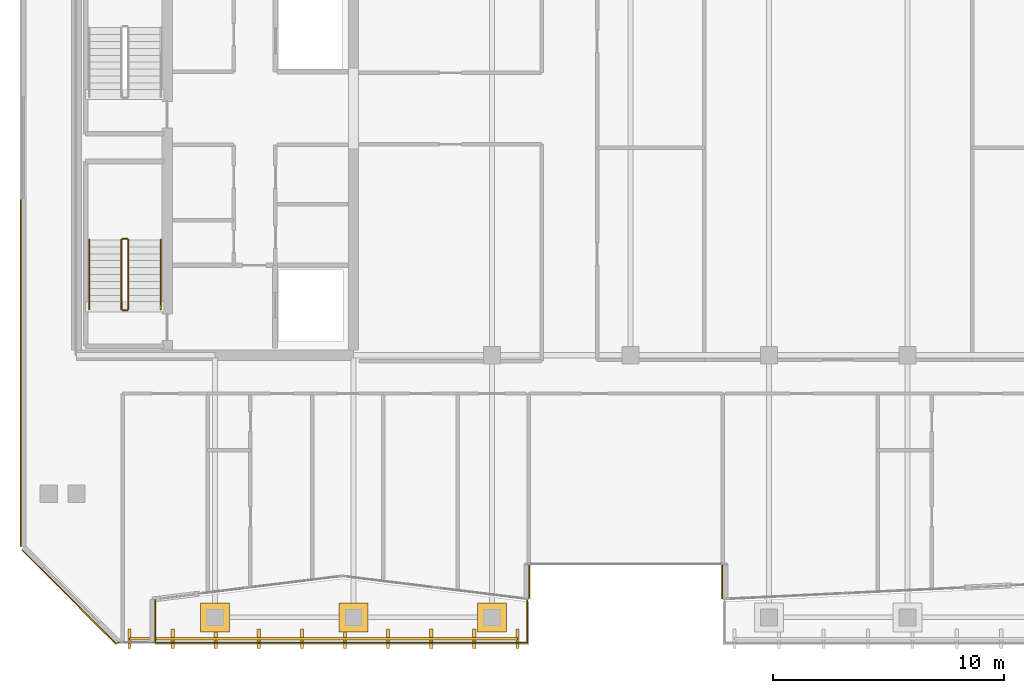
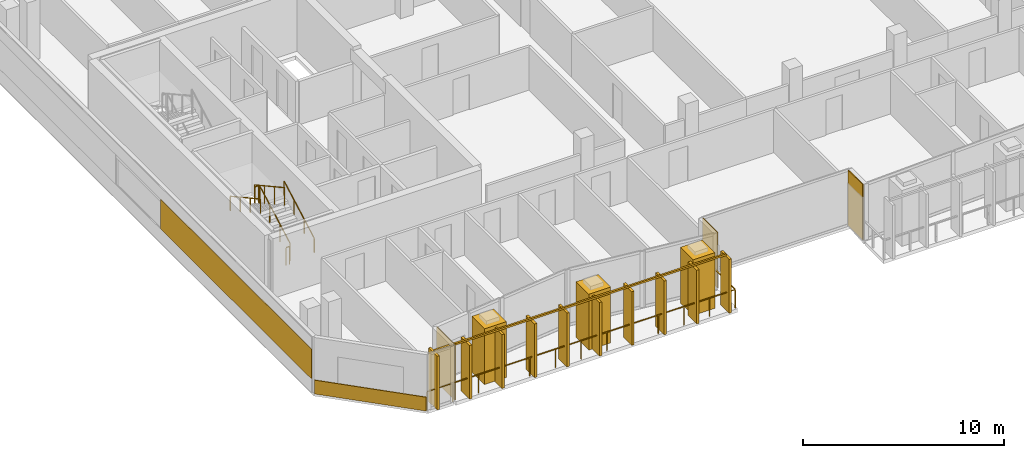
# One storey, part 27 of 31: 8 coverings, 8 railings.
"""IFC4 building model written with IfcOpenShell, lengths in metres."""

import ifcopenshell
import ifcopenshell.guid

model = None  # the IFC model being written
_history = None  # IfcOwnerHistory: only IFC2X3 demands one
_inside = {}  # id of a spatial element -> (the spatial element, [elements in it])
_under = {}  # id of a project, library or spatial element -> (it, [spatial elements below it])
_declared = {}  # id of a project -> (the project, [libraries it declares])
_typed = {}  # id of a type object -> (the type object, [elements of that type])
_made_of = {}  # id of a material, layer set ... -> (it, [elements and type objects made of it])


def new_model(schema):
    """Start an empty IFC model of exactly this schema.

    Asked for "IFC4X3", IfcOpenShell would pick the latest addendum, in which some entities
    have other attributes; the version numbers below select the first issue.
    IFC2X3 requires an IfcOwnerHistory on every rooted entity: one is made here for all.
    """
    global model, _history
    if schema == "IFC4X3":
        model = ifcopenshell.file(schema_version=(4, 3, 0, 0))
    else:
        model = ifcopenshell.file(schema=schema)
    _inside.clear()
    _under.clear()
    _declared.clear()
    _typed.clear()
    _made_of.clear()
    _history = None
    if model.schema == "IFC2X3":
        org = make("IfcOrganization", Name="unknown")
        user = make(
            "IfcPersonAndOrganization",
            ThePerson=make("IfcPerson", FamilyName="unknown"),
            TheOrganization=org,
        )
        app = make(
            "IfcApplication",
            ApplicationDeveloper=org,
            Version="unknown",
            ApplicationFullName="unknown",
            ApplicationIdentifier="unknown",
        )
        _history = make(
            "IfcOwnerHistory",
            OwningUser=user,
            OwningApplication=app,
            ChangeAction="ADDED",
            CreationDate=0,
        )
    return model


def make(cls, **values):
    """One entity of the class cls with the attributes given. An attribute that is None is left unset."""
    return model.create_entity(
        cls, **{name: value for name, value in values.items() if value is not None}
    )


def rooted(cls, **values):
    """An entity with a GlobalId (a new one), such as an element, a storey or a relation."""
    return make(cls, GlobalId=ifcopenshell.guid.new(), OwnerHistory=_history, **values)


def si_unit(unit_type, name, prefix=None):
    """IfcSIUnit, for example si_unit("LENGTHUNIT", "METRE", prefix="MILLI")."""
    return make("IfcSIUnit", UnitType=unit_type, Prefix=prefix, Name=name)


def assignment(units):
    """IfcUnitAssignment: the units of a project."""
    return None if units is None else make("IfcUnitAssignment", Units=units)


def point(xyz):
    """IfcCartesianPoint."""
    return None if xyz is None else make("IfcCartesianPoint", Coordinates=xyz)


def direction(xyz):
    """IfcDirection."""
    return None if xyz is None else make("IfcDirection", DirectionRatios=xyz)


def frame(location, z_axis=None, x_axis=None):
    """IfcAxis2Placement3D, a coordinate frame: its origin and axes. An axis left out is left unset."""
    return make(
        "IfcAxis2Placement3D",
        Location=point(location),
        Axis=direction(z_axis),
        RefDirection=direction(x_axis),
    )


def frame_2d(location, x_axis=None):
    """IfcAxis2Placement2D, a coordinate frame in the plane: its origin and x axis."""
    return make(
        "IfcAxis2Placement2D", Location=point(location), RefDirection=direction(x_axis)
    )


def origin():
    """The frame at (0, 0, 0) with its axes left unset."""
    return frame((0.0, 0.0, 0.0))


def origin_2d():
    """The frame at (0, 0) in the plane with its x axis left unset."""
    return frame_2d((0.0, 0.0))


def place(relative_to, where):
    """IfcLocalPlacement: puts the frame where relative to a parent placement (None: the world)."""
    return make(
        "IfcLocalPlacement", PlacementRelTo=relative_to, RelativePlacement=where
    )


def context(
    kind, dimensions, precision=None, world=None, true_north=None, identifier=None
):
    """IfcGeometricRepresentationContext, for example the 3D "Model" context."""
    return make(
        "IfcGeometricRepresentationContext",
        ContextIdentifier=identifier,
        ContextType=kind,
        CoordinateSpaceDimension=dimensions,
        Precision=precision,
        WorldCoordinateSystem=world,
        TrueNorth=true_north,
    )


def subcontext(parent, identifier, kind, view, scale=None):
    """IfcGeometricRepresentationSubContext, for example "Body" below "Model"."""
    return make(
        "IfcGeometricRepresentationSubContext",
        ContextIdentifier=identifier,
        ContextType=kind,
        ParentContext=parent,
        TargetScale=scale,
        TargetView=view,
    )


def project(units=None, contexts=None):
    """IfcProject with its units and contexts."""
    return rooted(
        "IfcProject",
        Name="project",
        RepresentationContexts=contexts,
        UnitsInContext=assignment(units),
    )


def spatial(cls, under=None, at=None, **own):
    """A site, building, storey or space (cls), placed at a placement, below another one or the project."""
    s = rooted(cls, ObjectPlacement=at, **own)
    if under is not None:
        _under.setdefault(under.id(), (under, []))[1].append(s)
    return s


def profile(cls, at=None, kind="AREA", **sizes):
    """A parametric profile (cls). Its sizes go by their IFC names, for example OverallWidth=200.0."""
    return make(cls, ProfileType=kind, Position=at, **sizes)


def rectangle(**sizes):
    """IfcRectangleProfileDef."""
    return profile("IfcRectangleProfileDef", **sizes)


def extrude(swept, where, along, depth):
    """IfcExtrudedAreaSolid: the profile swept, set in the frame where, extruded along a direction by depth."""
    return make(
        "IfcExtrudedAreaSolid",
        SweptArea=swept,
        Position=where,
        ExtrudedDirection=direction(along),
        Depth=depth,
    )


def shape(context_of_items, identifier, shape_type, items):
    """IfcShapeRepresentation: the items that make up one representation, for example the "Body"."""
    return make(
        "IfcShapeRepresentation",
        ContextOfItems=context_of_items,
        RepresentationIdentifier=identifier,
        RepresentationType=shape_type,
        Items=items,
    )


def material(Name=None, Category=None):
    """IfcMaterial."""
    return make("IfcMaterial", Name=Name, Category=Category)


def layer(
    of_material, thickness, ventilated=None, Name=None, Category=None, Priority=None
):
    """IfcMaterialLayer: one layer of a wall or slab, of a material (None: an air gap)."""
    return make(
        "IfcMaterialLayer",
        Material=of_material,
        LayerThickness=thickness,
        IsVentilated=ventilated,
        Name=Name,
        Category=Category,
        Priority=Priority,
    )


def layer_set(layers, Name=None):
    """IfcMaterialLayerSet."""
    return make("IfcMaterialLayerSet", MaterialLayers=layers, LayerSetName=Name)


def made_of(thing, what):
    """Note that an element or type object is made of a material, layer set ...; save() writes the relation."""
    if what is not None:
        _made_of.setdefault(what.id(), (what, []))[1].append(thing)
    return thing


def type_object(cls, material=None, **own):
    """A type object (cls), such as IfcWallType, which elements share."""
    return made_of(rooted(cls, **own), material)


def element(
    cls,
    number,
    at=None,
    inside=None,
    cuts=None,
    type_object=None,
    material=None,
    context=None,
    identifier="Body",
    shape_type=None,
    held_by="IfcProductDefinitionShape",
    body=None,
    shapes=None,
    **own,
):
    """One element of the class cls, such as IfcWall. Its Tag is "e" and its number.

    at: its placement. inside: the storey or other place that contains it. cuts: it is an
    opening in that element (IfcRelVoidsElement). A single representation is given by context,
    identifier, shape_type and body (its items); several are given by shapes. held_by: the class
    of the entity that holds the representations. save() writes the other relations.
    """
    e = rooted(cls, Tag="e%d" % number, ObjectPlacement=at, **own)
    if body is not None:
        shapes = [shape(context, identifier, shape_type, body)]
    if shapes is not None:
        e.Representation = make(held_by, Representations=shapes)
    if inside is not None:
        _inside.setdefault(inside.id(), (inside, []))[1].append(e)
    if cuts is not None:
        rooted(
            "IfcRelVoidsElement", RelatingBuildingElement=cuts, RelatedOpeningElement=e
        )
    if type_object is not None:
        _typed.setdefault(type_object.id(), (type_object, []))[1].append(e)
    return made_of(e, material)


def aggregate(whole, parts):
    """IfcRelAggregates: a whole, such as a stair, and the parts it consists of."""
    return rooted("IfcRelAggregates", RelatingObject=whole, RelatedObjects=parts)


def save(model, path):
    """Write the relations noted so far, then the file.

    IfcRelAggregates (storeys below a building ...), IfcRelContainedInSpatialStructure (elements
    in a storey), IfcRelDefinesByType, IfcRelAssociatesMaterial and IfcRelDeclares: one each for
    every whole, place, type object, material and project.
    """
    for whole, parts in _under.values():
        aggregate(whole, parts)
    for where, things in _inside.values():
        rooted(
            "IfcRelContainedInSpatialStructure",
            RelatedElements=things,
            RelatingStructure=where,
        )
    for kind, things in _typed.values():
        rooted("IfcRelDefinesByType", RelatedObjects=things, RelatingType=kind)
    for what, things in _made_of.values():
        rooted("IfcRelAssociatesMaterial", RelatedObjects=things, RelatingMaterial=what)
    for by, libraries in _declared.values():
        rooted("IfcRelDeclares", RelatingContext=by, RelatedDefinitions=libraries)
    model.write(path)


model = new_model("IFC4")

# Units and contexts
model_context = context("Model", 3, precision=1e-05, world=origin(), true_north=direction((0.0, 1.0)))
body_context = subcontext(model_context, "Body", "Model", "MODEL_VIEW")
ifc_project = project(units=[si_unit("LENGTHUNIT", "METRE"), si_unit("AREAUNIT", "SQUARE_METRE"), si_unit("VOLUMEUNIT", "CUBIC_METRE"), si_unit("PLANEANGLEUNIT", "RADIAN"), si_unit("MASSUNIT", "GRAM", prefix="KILO")], contexts=[model_context])

# Site, building, storey
site_placement = place(None, origin())
site = spatial("IfcSite", under=ifc_project, at=site_placement, CompositionType="ELEMENT")
building_placement = place(site_placement, origin())
building = spatial("IfcBuilding", under=site, at=building_placement, Name="Tanjung Sevakor Pilgrim Tower", CompositionType="ELEMENT")
storey_placement = place(building_placement, frame((0.0, 0.0, 208.22998046875)))
storey = spatial("IfcBuildingStorey", under=building, at=storey_placement, Name="L58", CompositionType="ELEMENT", Elevation=208.22998046875)

# Coverings
ifc_material_1 = material(Name="Reconstructed Limestone Cladding", Category="masonry")
ifc_layer = layer(ifc_material_1, 0.044921875)
ifc_layer_set = layer_set([ifc_layer], Name="COV-CLAD-LIMESTONE")
covering_type = type_object("IfcCoveringType", Name="COV-CLAD-LIMESTONE", PredefinedType="CLADDING", material=ifc_layer_set)
covering_1_placement = place(storey_placement, frame((27.422607421875, 13.09375, 0.02001953125), z_axis=(0.0, 0.0, 1.0), x_axis=(0.0, 1.0, 0.0)))
element("IfcCovering", 1, at=covering_1_placement, inside=storey, type_object=covering_type, Name="L58 Warm Limestone Wall Cladding EW-L58-MAIN-2", PredefinedType="CLADDING", context=body_context, shape_type="SweptSolid", body=[
    extrude(rectangle(XDim=1.827392578125, YDim=0.044921875, at=origin_2d()), origin(), (0.0, 0.0, 1.0), 3.3701171875),
])
covering_2_placement = place(storey_placement, frame((43.62255859375, 14.80712890625, 0.02001953125), z_axis=(0.0, 0.0, 1.0), x_axis=(0.0, 1.0, 0.0)))
element("IfcCovering", 2, at=covering_2_placement, inside=storey, type_object=covering_type, Name="L58 Warm Limestone Wall Cladding EW-L58-MAIN-7", PredefinedType="CLADDING", context=body_context, shape_type="SweptSolid", body=[
    extrude(rectangle(XDim=1.465576171875, YDim=0.044921875, at=origin_2d()), origin(), (0.0, 0.0, 1.0), 3.3701171875),
])
covering_3_placement = place(storey_placement, frame((51.9775390625, 14.802734375, 0.02001953125), z_axis=(0.0, 0.0, 1.0), x_axis=(0.0, -1.0, 0.0)))
element("IfcCovering", 3, at=covering_3_placement, inside=storey, type_object=covering_type, Name="L58 Warm Limestone Wall Cladding EW-L58-MAIN-9", PredefinedType="CLADDING", context=body_context, shape_type="SweptSolid", body=[
    extrude(rectangle(XDim=1.474609375, YDim=0.044921875, at=origin_2d()), origin(), (0.0, 0.0, 1.0), 3.3701171875),
])
covering_4_placement = place(storey_placement, frame((21.577392578125, 23.8427734375, 0.85009765625), z_axis=(0.0, 0.0, 1.0), x_axis=(0.0, -1.0, 0.0)))
element("IfcCovering", 4, at=covering_4_placement, inside=storey, type_object=covering_type, Name="L58 Warm Limestone Pier Panel EW-L58-MAIN-35-2", PredefinedType="CLADDING", context=body_context, shape_type="SweptSolid", body=[
    extrude(rectangle(XDim=15.014404296875, YDim=0.044921875, at=origin_2d()), origin(), (0.0, 0.0, 1.0), 1.81005859375),
])
covering_5_placement = place(storey_placement, frame((23.68408203125, 14.134033203125, 0.009765625), z_axis=(0.0, 0.0, 1.0), x_axis=(0.707106781187, -0.707106781187, 0.0)))
element("IfcCovering", 5, at=covering_5_placement, inside=storey, type_object=covering_type, Name="L58 Warm Limestone Sill Spandrel EW-CHM-L58-MAIN-35-1", PredefinedType="CLADDING", context=body_context, shape_type="SweptSolid", body=[
    extrude(rectangle(XDim=5.7685546875, YDim=0.044921875, at=origin_2d()), origin(), (0.0, 0.0, 1.0), 0.840087890625),
])
for number, where, z_axis, x_axis, name in (
    (6, (30.0, 13.25, 0.01025390625), (0.0, 0.0, 1.0), (1.0, 0.0, 0.0), "L58 Colonnade Pier Limestone Casing 21"),
    (7, (36.0, 13.25, 0.01025390625), (0.0, 0.0, 1.0), (1.0, 0.0, 0.0), "L58 Colonnade Pier Limestone Casing 23"),
    (8, (42.0, 13.25, 0.01025390625), (0.0, 0.0, 1.0), (1.0, 0.0, 0.0), "L58 Colonnade Pier Limestone Casing 25"),
):
    element("IfcCovering", number, at=place(storey_placement, frame(where, z_axis=z_axis, x_axis=x_axis)), inside=storey, type_object=covering_type, Name=name, PredefinedType="CLADDING", context=body_context, shape_type="SweptSolid", body=[
        extrude(rectangle(XDim=1.260009765625, YDim=1.260009765625, at=origin_2d()), origin(), (0.0, 0.0, 1.0), 3.389892578125),
    ])

# Railings
ifc_material_2 = material(Name="Steel S355J2", Category="steel")
railing_type_1 = type_object("IfcRailingType", Name="RL-EXT-GUARD", PredefinedType="GUARDRAIL", material=ifc_material_2)
railing_1_placement = place(storey_placement, frame((25.800048828125, 12.14990234375, 0.0)))
element("IfcRailing", 9, at=railing_1_placement, inside=storey, type_object=railing_type_1, Name="L58 S-Curve Gap Guardrail SW", PredefinedType="GUARDRAIL", context=body_context, shape_type="SweptSolid", body=[
    extrude(rectangle(XDim=0.0479, YDim=0.0479), frame((0.0, 0.0, 1.1259765625), z_axis=(1.0, 0.0, 0.0), x_axis=(0.0, 1.0, 0.0)), (0.0, 0.0, 1.0), 17.719970703125),
    extrude(rectangle(XDim=0.0479, YDim=0.0479), frame((17.719970703125, 0.0, 1.1259765625), z_axis=(0.0, 1.0, 0.0), x_axis=(-1.0, 0.0, 0.0)), (0.0, 0.0, 1.0), 3.300048828125),
    extrude(rectangle(XDim=0.042, YDim=0.042), origin(), (0.0, 0.0, 1.0), 1.101806640625),
    extrude(rectangle(XDim=0.042, YDim=0.042), frame((1.4765625, 0.0, 0.0)), (0.0, 0.0, 1.0), 1.101806640625),
    extrude(rectangle(XDim=0.042, YDim=0.042), frame((2.953369140625, 0.0, 0.0)), (0.0, 0.0, 1.0), 1.101806640625),
    extrude(rectangle(XDim=0.042, YDim=0.042), frame((4.429931640625, 0.0, 0.0)), (0.0, 0.0, 1.0), 1.101806640625),
    extrude(rectangle(XDim=0.042, YDim=0.042), frame((5.90673828125, 0.0, 0.0)), (0.0, 0.0, 1.0), 1.101806640625),
    extrude(rectangle(XDim=0.042, YDim=0.042), frame((7.38330078125, 0.0, 0.0)), (0.0, 0.0, 1.0), 1.101806640625),
    extrude(rectangle(XDim=0.042, YDim=0.042), frame((8.85986328125, 0.0, 0.0)), (0.0, 0.0, 1.0), 1.101806640625),
    extrude(rectangle(XDim=0.042, YDim=0.042), frame((10.336669921875, 0.0, 0.0)), (0.0, 0.0, 1.0), 1.101806640625),
    extrude(rectangle(XDim=0.042, YDim=0.042), frame((11.813232421875, 0.0, 0.0)), (0.0, 0.0, 1.0), 1.101806640625),
    extrude(rectangle(XDim=0.042, YDim=0.042), frame((13.2900390625, 0.0, 0.0)), (0.0, 0.0, 1.0), 1.101806640625),
    extrude(rectangle(XDim=0.042, YDim=0.042), frame((14.7666015625, 0.0, 0.0)), (0.0, 0.0, 1.0), 1.101806640625),
    extrude(rectangle(XDim=0.042, YDim=0.042), frame((16.243408203125, 0.0, 0.0)), (0.0, 0.0, 1.0), 1.101806640625),
    extrude(rectangle(XDim=0.042, YDim=0.042), frame((17.719970703125, 0.0, 0.0)), (0.0, 0.0, 1.0), 1.101806640625),
    extrude(rectangle(XDim=0.042, YDim=0.042), frame((17.719970703125, 1.10009765625, 0.0)), (0.0, 0.0, 1.0), 1.101806640625),
    extrude(rectangle(XDim=0.042, YDim=0.042), frame((17.719970703125, 2.199951171875, 0.0)), (0.0, 0.0, 1.0), 1.101806640625),
    extrude(rectangle(XDim=0.042, YDim=0.042), frame((17.719970703125, 3.300048828125, 0.0)), (0.0, 0.0, 1.0), 1.101806640625),
])
ifc_material_3 = material(Name="Anodised Bronze Aluminium 6063-T6", Category="aluminium")
railing_type_2 = type_object("IfcRailingType", Name="RL-FIN-SCREEN", PredefinedType="BALUSTRADE", material=ifc_material_3)
railing_2_placement = place(storey_placement, frame((26.300048828125, 12.330078125, 0.0)))
element("IfcRailing", 10, at=railing_2_placement, inside=storey, type_object=railing_type_2, Name="L58 Vertical Bronze-Gold Solar Fin Screen FN-SCGAP-L58-SW-1", PredefinedType="BALUSTRADE", context=body_context, shape_type="SweptSolid", body=[
    extrude(rectangle(XDim=0.105, YDim=0.105), frame((0.0, 0.0, 3.317626953125), z_axis=(1.0, 0.0, 0.0), x_axis=(0.0, 1.0, 0.0)), (0.0, 0.0, 1.0), 16.800048828125),
    extrude(rectangle(XDim=0.14, YDim=0.85), origin(), (0.0, 0.0, 1.0), 3.26513671875),
    extrude(rectangle(XDim=0.14, YDim=0.85), frame((1.86669921875, 0.0, 0.0)), (0.0, 0.0, 1.0), 3.26513671875),
    extrude(rectangle(XDim=0.14, YDim=0.85), frame((3.7333984375, 0.0, 0.0)), (0.0, 0.0, 1.0), 3.26513671875),
    extrude(rectangle(XDim=0.14, YDim=0.85), frame((5.60009765625, 0.0, 0.0)), (0.0, 0.0, 1.0), 3.26513671875),
    extrude(rectangle(XDim=0.14, YDim=0.85), frame((7.466796875, 0.0, 0.0)), (0.0, 0.0, 1.0), 3.26513671875),
    extrude(rectangle(XDim=0.14, YDim=0.85), frame((9.333251953125, 0.0, 0.0)), (0.0, 0.0, 1.0), 3.26513671875),
    extrude(rectangle(XDim=0.14, YDim=0.85), frame((11.199951171875, 0.0, 0.0)), (0.0, 0.0, 1.0), 3.26513671875),
    extrude(rectangle(XDim=0.14, YDim=0.85), frame((13.066650390625, 0.0, 0.0)), (0.0, 0.0, 1.0), 3.26513671875),
    extrude(rectangle(XDim=0.14, YDim=0.85), frame((14.933349609375, 0.0, 0.0)), (0.0, 0.0, 1.0), 3.26513671875),
    extrude(rectangle(XDim=0.14, YDim=0.85), frame((16.800048828125, 0.0, 0.0)), (0.0, 0.0, 1.0), 3.26513671875),
])
ifc_material_4 = material(Name="Steel S355J2", Category="steel")
railing_type_3 = type_object("IfcRailingType", Name="RL-STAIR-GUARD", PredefinedType="GUARDRAIL", material=ifc_material_4)
railing_3_placement = place(storey_placement, frame((26.25, 26.60009765625, 0.1650390625)))
element("IfcRailing", 11, at=railing_3_placement, inside=storey, type_object=railing_type_3, Name="L58 TS-W1 stair guard 1", PredefinedType="GUARDRAIL", context=body_context, shape_type="SweptSolid", body=[
    extrude(rectangle(XDim=0.0479, YDim=0.0479), frame((0.0, 0.0, 1.076171875), z_axis=(0.0, 0.876227952683, 0.48189685093), x_axis=(-1.0, 0.0, 0.0)), (0.0, 0.0, 1.0), 3.423828125),
    extrude(rectangle(XDim=0.042, YDim=0.042), origin(), (0.0, 0.0, 1.0), 1.052001953125),
    extrude(rectangle(XDim=0.042, YDim=0.042), frame((0.0, 1.0, 0.550048828125)), (0.0, 0.0, 1.0), 1.052001953125),
    extrude(rectangle(XDim=0.042, YDim=0.042), frame((0.0, 2.0, 1.099853515625)), (0.0, 0.0, 1.0), 1.052001953125),
    extrude(rectangle(XDim=0.042, YDim=0.042), frame((0.0, 3.0, 1.64990234375)), (0.0, 0.0, 1.0), 1.052001953125),
])
railing_4_placement = place(storey_placement, frame((26.199951171875, 29.64990234375, 1.81494140625)))
element("IfcRailing", 12, at=railing_4_placement, inside=storey, type_object=railing_type_3, Name="L58 TS-W1 stair guard 2", PredefinedType="GUARDRAIL", context=body_context, shape_type="SweptSolid", body=[
    extrude(rectangle(XDim=0.0479, YDim=0.0479), frame((0.0, 0.0, 1.076171875), z_axis=(-1.0, 0.0, 0.0), x_axis=(0.0, -1.0, 0.0)), (0.0, 0.0, 1.0), 0.199951171875),
    extrude(rectangle(XDim=0.042, YDim=0.042), origin(), (0.0, 0.0, 1.0), 1.052001953125),
    extrude(rectangle(XDim=0.042, YDim=0.042), frame((-0.199951171875, 0.0, 0.0)), (0.0, 0.0, 1.0), 1.052001953125),
])
railing_5_placement = place(storey_placement, frame((25.949951171875, 29.60009765625, 1.97998046875)))
element("IfcRailing", 13, at=railing_5_placement, inside=storey, type_object=railing_type_3, Name="L58 TS-W1 stair guard 3", PredefinedType="GUARDRAIL", context=body_context, shape_type="SweptSolid", body=[
    extrude(rectangle(XDim=0.0479, YDim=0.0479), frame((0.0, 0.0, 1.076171875), z_axis=(0.0, -0.876197842262, 0.481951596342), x_axis=(1.0, 0.0, 0.0)), (0.0, 0.0, 1.0), 3.423828125),
    extrude(rectangle(XDim=0.042, YDim=0.042), origin(), (0.0, 0.0, 1.0), 1.052001953125),
    extrude(rectangle(XDim=0.042, YDim=0.042), frame((0.0, -1.0, 0.550048828125)), (0.0, 0.0, 1.0), 1.052001953125),
    extrude(rectangle(XDim=0.042, YDim=0.042), frame((0.0, -2.0, 1.10009765625)), (0.0, 0.0, 1.0), 1.052001953125),
    extrude(rectangle(XDim=0.042, YDim=0.042), frame((0.0, -3.0, 1.650146484375)), (0.0, 0.0, 1.0), 1.052001953125),
])
railing_6_placement = place(storey_placement, frame((26.199951171875, 26.550048828125, 0.0)))
element("IfcRailing", 14, at=railing_6_placement, inside=storey, type_object=railing_type_3, Name="L58 TS-W1 stair guard 4", PredefinedType="GUARDRAIL", context=body_context, shape_type="SweptSolid", body=[
    extrude(rectangle(XDim=0.0479, YDim=0.0479), frame((0.0, 0.0, 1.076171875), z_axis=(-1.0, 0.0, 0.0), x_axis=(0.0, -1.0, 0.0)), (0.0, 0.0, 1.0), 0.199951171875),
    extrude(rectangle(XDim=0.042, YDim=0.042), origin(), (0.0, 0.0, 1.0), 1.052001953125),
    extrude(rectangle(XDim=0.042, YDim=0.042), frame((-0.199951171875, 0.0, 0.0)), (0.0, 0.0, 1.0), 1.052001953125),
])
ifc_material_5 = material(Name="Steel S355J2", Category="steel")
railing_type_4 = type_object("IfcRailingType", Name="RL-STAIR-HAND", PredefinedType="HANDRAIL", material=ifc_material_5)
railing_7_placement = place(storey_placement, frame((27.64990234375, 26.60009765625, 0.1650390625)))
element("IfcRailing", 15, at=railing_7_placement, inside=storey, type_object=railing_type_4, Name="L58 TS-W1 stair handrail 1", PredefinedType="HANDRAIL", context=body_context, shape_type="SweptSolid", body=[
    extrude(rectangle(XDim=0.0479, YDim=0.0479), frame((0.0, 0.0, 0.8759765625), z_axis=(0.0, 0.876227952683, 0.48189685093), x_axis=(-1.0, 0.0, 0.0)), (0.0, 0.0, 1.0), 3.423828125),
    extrude(rectangle(XDim=0.042, YDim=0.042), origin(), (0.0, 0.0, 1.0), 0.851806640625),
    extrude(rectangle(XDim=0.042, YDim=0.042), frame((0.0, 1.0, 0.550048828125)), (0.0, 0.0, 1.0), 0.851806640625),
    extrude(rectangle(XDim=0.042, YDim=0.042), frame((0.0, 2.0, 1.099853515625)), (0.0, 0.0, 1.0), 0.851806640625),
    extrude(rectangle(XDim=0.042, YDim=0.042), frame((0.0, 3.0, 1.64990234375)), (0.0, 0.0, 1.0), 0.851806640625),
])
railing_8_placement = place(storey_placement, frame((24.550048828125, 29.60009765625, 1.97998046875)))
element("IfcRailing", 16, at=railing_8_placement, inside=storey, type_object=railing_type_4, Name="L58 TS-W1 stair handrail 2", PredefinedType="HANDRAIL", context=body_context, shape_type="SweptSolid", body=[
    extrude(rectangle(XDim=0.0479, YDim=0.0479), frame((0.0, 0.0, 0.8759765625), z_axis=(0.0, -0.876197842262, 0.481951596342), x_axis=(1.0, 0.0, 0.0)), (0.0, 0.0, 1.0), 3.423828125),
    extrude(rectangle(XDim=0.042, YDim=0.042), origin(), (0.0, 0.0, 1.0), 0.851806640625),
    extrude(rectangle(XDim=0.042, YDim=0.042), frame((0.0, -1.0, 0.550048828125)), (0.0, 0.0, 1.0), 0.851806640625),
    extrude(rectangle(XDim=0.042, YDim=0.042), frame((0.0, -2.0, 1.10009765625)), (0.0, 0.0, 1.0), 0.851806640625),
    extrude(rectangle(XDim=0.042, YDim=0.042), frame((0.0, -3.0, 1.650146484375)), (0.0, 0.0, 1.0), 0.851806640625),
])

save(model, "model.ifc")
